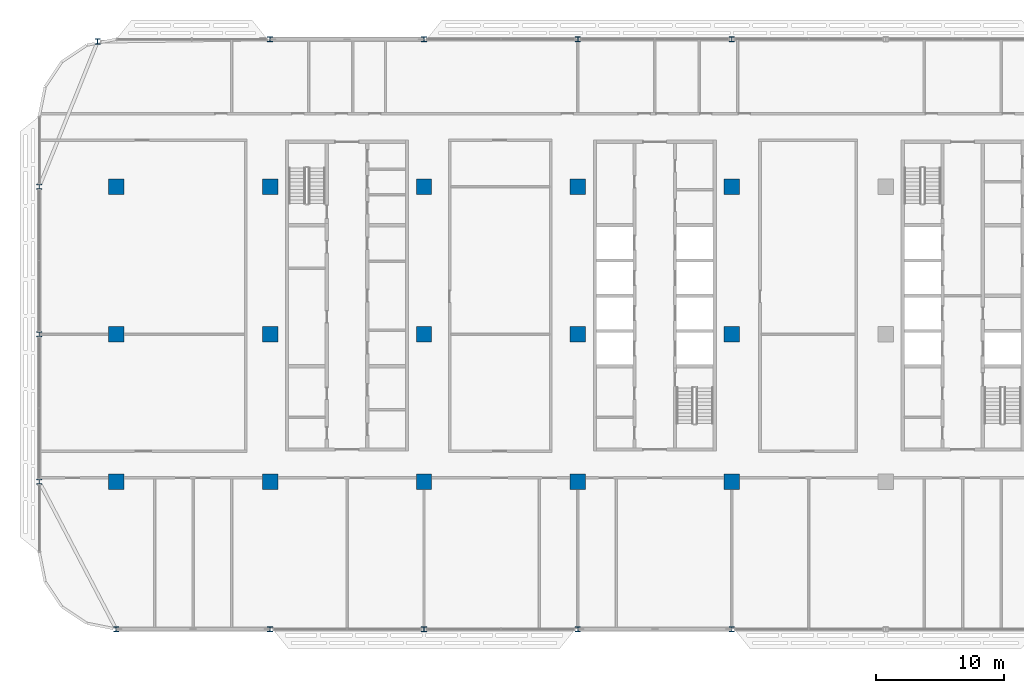
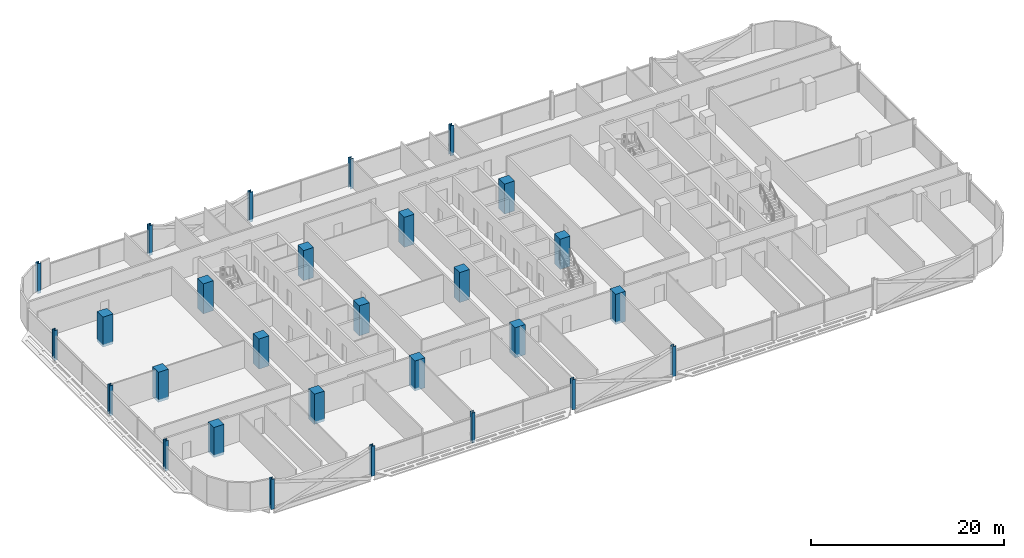
# One storey, part 1 of 27: 28 columns.
"""IFC4 building model written with IfcOpenShell, lengths in metres."""

from ifc_helpers import new_model, si_unit, direction, frame, origin, origin_2d, place, context, subcontext, project, spatial, rectangle, i_section, extrude, material, material_profile, profile_set, type_object, element, save


model = new_model("IFC4")

# Units and contexts
model_context = context("Model", 3, precision=1e-05, world=origin(), true_north=direction((0.0, 1.0)))
body_context = subcontext(model_context, "Body", "Model", "MODEL_VIEW")
ifc_project = project(units=[si_unit("LENGTHUNIT", "METRE"), si_unit("AREAUNIT", "SQUARE_METRE"), si_unit("VOLUMEUNIT", "CUBIC_METRE"), si_unit("PLANEANGLEUNIT", "RADIAN"), si_unit("MASSUNIT", "GRAM", prefix="KILO")], contexts=[model_context])

# Site, building, storey
site_placement = place(None, origin())
site = spatial("IfcSite", under=ifc_project, at=site_placement, CompositionType="ELEMENT")
building_placement = place(site_placement, origin())
building = spatial("IfcBuilding", under=site, at=building_placement, Name="Mahtab Terrace Research Tower", CompositionType="ELEMENT")
storey_placement = place(building_placement, frame((0.0, 0.0, 178.199951171875)))
storey = spatial("IfcBuildingStorey", under=building, at=storey_placement, Name="L42", CompositionType="ELEMENT", Elevation=178.199951171875)

# Columns
ifc_material_1 = material(Name="Concrete C70/85", Category="concrete")
ifc_material_profile_1 = material_profile(ifc_material_1, rectangle(XDim=1.199951171875, YDim=1.199951171875, at=origin_2d()), Name="RC column 1200x1200")
ifc_profile_set_1 = profile_set([ifc_material_profile_1], Name="Concrete C70/85")
column_type_1 = type_object("IfcColumnType", Name="RC column 1200x1200", PredefinedType="COLUMN", material=ifc_profile_set_1)
for number, where, z_axis, x_axis, name in (
    (1, (-42.0, -11.5, -0.33984375), (0.0, 0.0, 1.0), (1.0, 0.0, 0.0), "Column RC-1A L42"),
    (2, (-42.0, 0.0, -0.33984375), (0.0, 0.0, 1.0), (1.0, 0.0, 0.0), "Column RC-1B L42"),
    (3, (-42.0, 11.5, -0.33984375), (0.0, 0.0, 1.0), (1.0, 0.0, 0.0), "Column RC-1C L42"),
    (4, (-30.0, -11.5, -0.33984375), (0.0, 0.0, 1.0), (1.0, 0.0, 0.0), "Column RC-2A L42"),
    (5, (-30.0, 0.0, -0.33984375), (0.0, 0.0, 1.0), (1.0, 0.0, 0.0), "Column RC-2B L42"),
    (6, (-30.0, 11.5, -0.33984375), (0.0, 0.0, 1.0), (1.0, 0.0, 0.0), "Column RC-2C L42"),
    (7, (-18.0, -11.5, -0.33984375), (0.0, 0.0, 1.0), (1.0, 0.0, 0.0), "Column RC-3A L42"),
    (8, (-18.0, 0.0, -0.33984375), (0.0, 0.0, 1.0), (1.0, 0.0, 0.0), "Column RC-3B L42"),
    (9, (-18.0, 11.5, -0.33984375), (0.0, 0.0, 1.0), (1.0, 0.0, 0.0), "Column RC-3C L42"),
    (10, (-6.0, -11.5, -0.33984375), (0.0, 0.0, 1.0), (1.0, 0.0, 0.0), "Column RC-4A L42"),
    (11, (-6.0, 0.0, -0.33984375), (0.0, 0.0, 1.0), (1.0, 0.0, 0.0), "Column RC-4B L42"),
    (12, (-6.0, 11.5, -0.33984375), (0.0, 0.0, 1.0), (1.0, 0.0, 0.0), "Column RC-4C L42"),
    (13, (6.0, -11.5, -0.33984375), (0.0, 0.0, 1.0), (1.0, 0.0, 0.0), "Column RC-5A L42"),
    (14, (6.0, 0.0, -0.33984375), (0.0, 0.0, 1.0), (1.0, 0.0, 0.0), "Column RC-5B L42"),
    (15, (6.0, 11.5, -0.33984375), (0.0, 0.0, 1.0), (1.0, 0.0, 0.0), "Column RC-5C L42"),
):
    element("IfcColumn", number, at=place(storey_placement, frame(where, z_axis=z_axis, x_axis=x_axis)), inside=storey, type_object=column_type_1, Name=name, PredefinedType="COLUMN", context=body_context, shape_type="SweptSolid", body=[
        extrude(rectangle(XDim=1.199951171875, YDim=1.199951171875, at=origin_2d()), origin(), (0.0, 0.0, 1.0), 3.7998046875),
    ])
ifc_material_2 = material(Name="Steel ASTM A992 Gr 50", Category="steel")
ifc_material_profile_2 = material_profile(ifc_material_2, i_section(OverallWidth=0.406494140625, OverallDepth=0.41650390625, WebThickness=0.030029296875, FlangeThickness=0.048095703125, at=origin_2d()), Name="W14X257")
ifc_profile_set_2 = profile_set([ifc_material_profile_2], Name="Steel ASTM A992 Gr 50")
column_type_2 = type_object("IfcColumnType", Name="W14x257 column CS14257", PredefinedType="COLUMN", material=ifc_profile_set_2)
for number, where, z_axis, x_axis, name in (
    (16, (6.0, 23.0, -0.33984375), (0.0, 0.0, 1.0), (1.0, 0.0, 0.0), "Column SC-004 L42"),
    (17, (-6.0, 23.0, -0.33984375), (0.0, 0.0, 1.0), (1.0, 0.0, 0.0), "Column SC-005 L42"),
    (18, (-18.0, 23.0, -0.33984375), (0.0, 0.0, 1.0), (1.0, 0.0, 0.0), "Column SC-006 L42"),
    (19, (-30.0, 23.0, -0.33984375), (0.0, 0.0, 1.0), (1.0, 0.0, 0.0), "Column SC-007 L42"),
    (20, (-43.447998046875, 22.822021484375, -0.33984375), (0.0, 0.0, 1.0), (1.0, 0.0, 0.0), "Column SC-051 L42"),
    (21, (-48.0, 11.5, -0.33984375), (0.0, 0.0, 1.0), (1.0, 0.0, 0.0), "Column SC-009 L42"),
    (22, (-48.0, 0.0, -0.33984375), (0.0, 0.0, 1.0), (1.0, 0.0, 0.0), "Column SC-010 L42"),
    (23, (-48.0, -11.5, -0.33984375), (0.0, 0.0, 1.0), (1.0, 0.0, 0.0), "Column SC-011 L42"),
    (24, (-42.0, -23.0, -0.33984375), (0.0, 0.0, 1.0), (1.0, 0.0, 0.0), "Column SC-012 L42"),
    (25, (-30.0, -23.0, -0.33984375), (0.0, 0.0, 1.0), (1.0, 0.0, 0.0), "Column SC-013 L42"),
    (26, (-18.0, -23.0, -0.33984375), (0.0, 0.0, 1.0), (1.0, 0.0, 0.0), "Column SC-014 L42"),
    (27, (-6.0, -23.0, -0.33984375), (0.0, 0.0, 1.0), (1.0, 0.0, 0.0), "Column SC-015 L42"),
    (28, (6.0, -23.0, -0.33984375), (0.0, 0.0, 1.0), (1.0, 0.0, 0.0), "Column SC-016 L42"),
):
    element("IfcColumn", number, at=place(storey_placement, frame(where, z_axis=z_axis, x_axis=x_axis)), inside=storey, type_object=column_type_2, Name=name, PredefinedType="COLUMN", context=body_context, shape_type="SweptSolid", body=[
        extrude(i_section(OverallWidth=0.406494140625, OverallDepth=0.41650390625, WebThickness=0.030029296875, FlangeThickness=0.048095703125, at=origin_2d()), origin(), (0.0, 0.0, 1.0), 3.7998046875),
    ])

save(model, "model.ifc")
